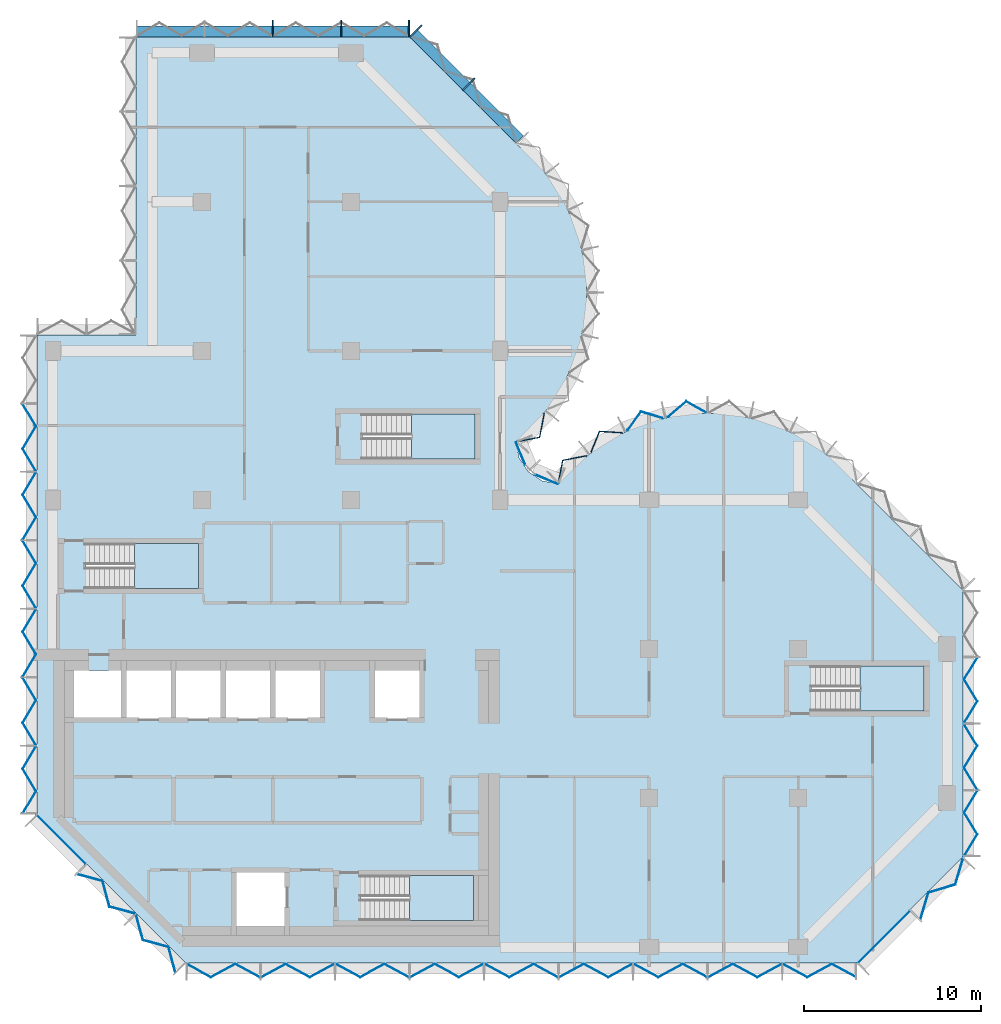
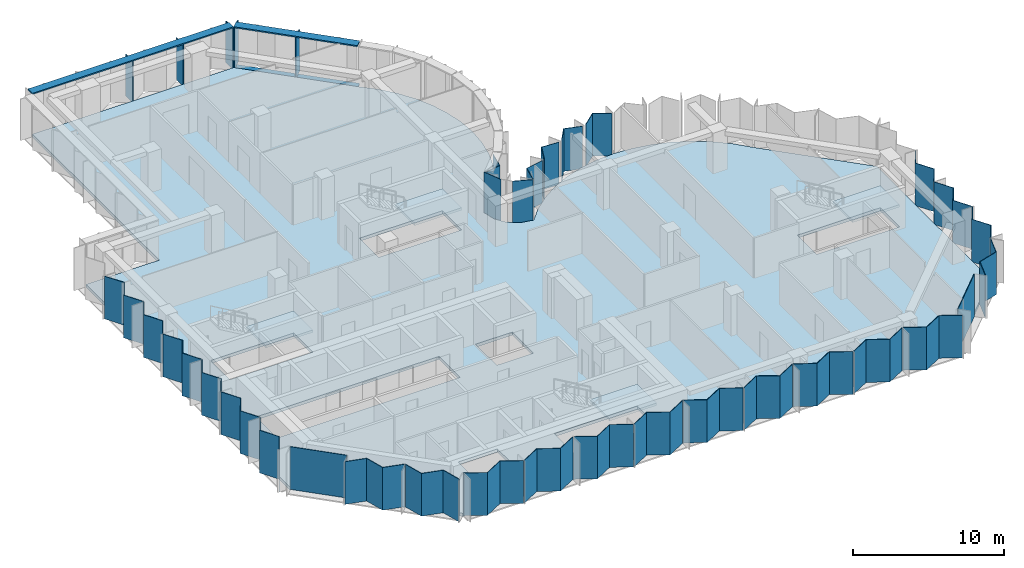
# One storey, part 3 of 10: 30 plates, 8 members, 5 slabs, 14 elements without a shape of their own.
"""IFC4 building model written with IfcOpenShell, lengths in metres."""

from ifc_helpers import new_model, si_unit, direction, frame, origin, origin_2d, place, context, subcontext, project, spatial, polyline, rectangle, outline, extrude, material, layer, layer_set, material_profile, profile_set, type_object, element, aggregate, save


model = new_model("IFC4")

# Units and contexts
model_context = context("Model", 3, precision=1e-05, world=origin(), true_north=direction((0.0, 1.0)))
body_context = subcontext(model_context, "Body", "Model", "MODEL_VIEW")
ifc_project = project(units=[si_unit("LENGTHUNIT", "METRE"), si_unit("AREAUNIT", "SQUARE_METRE"), si_unit("VOLUMEUNIT", "CUBIC_METRE"), si_unit("PLANEANGLEUNIT", "RADIAN"), si_unit("MASSUNIT", "GRAM", prefix="KILO")], contexts=[model_context])

# Site, building, storey
site_placement = place(None, origin())
site = spatial("IfcSite", under=ifc_project, at=site_placement, CompositionType="ELEMENT")
building_placement = place(site_placement, origin())
building = spatial("IfcBuilding", under=site, at=building_placement, Name="Brevane Broadcast Tower", CompositionType="ELEMENT")
storey_placement = place(building_placement, frame((0.0, 0.0, 202.800048828125)))
storey = spatial("IfcBuildingStorey", under=building, at=storey_placement, Name="L51", CompositionType="ELEMENT", Elevation=202.800048828125)

# Curtain wall, members
ifc_material_1 = material(Name="Aluminium 6063-T6 bronze anodised", Category="aluminium")
curtain_wall_type = type_object("IfcCurtainWallType", Name="CW-1 curtain wall", PredefinedType="NOTDEFINED", material=ifc_material_1)
curtain_wall_1_placement = place(storey_placement, origin())
curtain_wall_1 = element("IfcCurtainWall", 1, at=curtain_wall_1_placement, inside=storey, type_object=curtain_wall_type, Name="CW-1 typical tilted unit L51 north arm north-east chamfer", PredefinedType="NOTDEFINED")
ifc_material_profile_1 = material_profile(ifc_material_1, rectangle(XDim=0.949951171875, YDim=0.070068359375, at=origin_2d()), Name="RECT 70x950")
ifc_profile_set_1 = profile_set([ifc_material_profile_1], Name="Aluminium 6063-T6 bronze anodised")
member_type_1 = type_object("IfcMemberType", Name="CW-1 mullion 70x950", PredefinedType="MULLION", material=ifc_profile_set_1)
member_1_placement = place(storey_placement, frame((23.435791015625, 48.635986328125, -0.150146484375), z_axis=(0.0, 0.0, 1.0), x_axis=(-0.707106781187, -0.707106781187, 0.0)))
member_1 = element("IfcMember", 2, at=member_1_placement, type_object=member_type_1, Name="CW-1 mullion", PredefinedType="MULLION", context=body_context, shape_type="SweptSolid", body=[
    extrude(rectangle(XDim=0.949951171875, YDim=0.070068359375, at=origin_2d()), origin(), (0.0, 0.0, 1.0), 3.35009765625),
])
member_2_placement = place(storey_placement, frame((20.460693359375, 51.611083984375, -0.150146484375), z_axis=(0.0, 0.0, 1.0), x_axis=(-0.707106781187, -0.707106781187, 0.0)))
member_2 = element("IfcMember", 3, at=member_2_placement, type_object=member_type_1, Name="CW-1 mullion", PredefinedType="MULLION", context=body_context, shape_type="SweptSolid", body=[
    extrude(rectangle(XDim=0.949951171875, YDim=0.070068359375, at=origin_2d()), origin(), (0.0, 0.0, 1.0), 3.35009765625),
])

curtain_wall_2_placement = place(storey_placement, origin())
curtain_wall_2 = element("IfcCurtainWall", 4, at=curtain_wall_2_placement, inside=storey, type_object=curtain_wall_type, Name="CW-1 typical tilted unit L51 north end", PredefinedType="NOTDEFINED")
member_3_placement = place(storey_placement, frame((20.06494140625, 51.77490234375, -0.150146484375), z_axis=(0.0, 0.0, 1.0), x_axis=(0.0, -1.0, 0.0)))
member_3 = element("IfcMember", 5, at=member_3_placement, type_object=member_type_1, Name="CW-1 mullion", PredefinedType="MULLION", context=body_context, shape_type="SweptSolid", body=[
    extrude(rectangle(XDim=0.949951171875, YDim=0.070068359375, at=origin_2d()), origin(), (0.0, 0.0, 1.0), 3.35009765625),
])
member_4_placement = place(storey_placement, frame((16.25, 51.77490234375, -0.150146484375), z_axis=(0.0, 0.0, 1.0), x_axis=(0.0, -1.0, 0.0)))
member_4 = element("IfcMember", 6, at=member_4_placement, type_object=member_type_1, Name="CW-1 mullion", PredefinedType="MULLION", context=body_context, shape_type="SweptSolid", body=[
    extrude(rectangle(XDim=0.949951171875, YDim=0.070068359375, at=origin_2d()), origin(), (0.0, 0.0, 1.0), 3.35009765625),
])
member_5_placement = place(storey_placement, frame((12.39990234375, 51.77490234375, -0.150146484375), z_axis=(0.0, 0.0, 1.0), x_axis=(0.0, -1.0, 0.0)))
member_5 = element("IfcMember", 7, at=member_5_placement, type_object=member_type_1, Name="CW-1 mullion", PredefinedType="MULLION", context=body_context, shape_type="SweptSolid", body=[
    extrude(rectangle(XDim=0.949951171875, YDim=0.070068359375, at=origin_2d()), origin(), (0.0, 0.0, 1.0), 3.35009765625),
])

# Member
ifc_material_profile_2 = material_profile(ifc_material_1, rectangle(XDim=0.60009765625, YDim=0.10009765625, at=origin_2d()), Name="RECT 100x600")
ifc_profile_set_2 = profile_set([ifc_material_profile_2], Name="Aluminium 6063-T6 bronze anodised")
member_type_2 = type_object("IfcMemberType", Name="CW-1 transom 100x600", PredefinedType="USERDEFINED", material=ifc_profile_set_2)
member_6_placement = place(storey_placement, frame((26.31201171875, 45.51220703125, -0.199951171875), z_axis=(-0.707106781187, 0.707106781187, 0.0), x_axis=(-0.707106781187, -0.707106781187, 0.0)))
member_6 = element("IfcMember", 8, at=member_6_placement, type_object=member_type_2, Name="CW-1 transom", ObjectType="TRANSOM", PredefinedType="USERDEFINED", context=body_context, shape_type="SweptSolid", body=[
    extrude(rectangle(XDim=0.60009765625, YDim=0.10009765625, at=origin_2d()), origin(), (0.0, 0.0, 1.0), 8.4853515625),
])

member_7_placement = place(storey_placement, frame((26.31201171875, 45.51220703125, 3.25), z_axis=(-0.707106781187, 0.707106781187, 0.0), x_axis=(-0.707106781187, -0.707106781187, 0.0)))
member_7 = element("IfcMember", 9, at=member_7_placement, type_object=member_type_2, Name="CW-1 transom", ObjectType="TRANSOM", PredefinedType="USERDEFINED", context=body_context, shape_type="SweptSolid", body=[
    extrude(rectangle(XDim=0.60009765625, YDim=0.10009765625, at=origin_2d()), origin(), (0.0, 0.0, 1.0), 8.4853515625),
])

aggregate(curtain_wall_1, [member_1, member_2, member_6, member_7])

member_8_placement = place(storey_placement, frame((20.10009765625, 51.60009765625, 3.25), z_axis=(-1.0, 0.0, 0.0), x_axis=(0.0, -1.0, 0.0)))
member_8 = element("IfcMember", 10, at=member_8_placement, type_object=member_type_2, Name="CW-1 transom", ObjectType="TRANSOM", PredefinedType="USERDEFINED", context=body_context, shape_type="SweptSolid", body=[
    extrude(rectangle(XDim=0.60009765625, YDim=0.10009765625, at=origin_2d()), origin(), (0.0, 0.0, 1.0), 15.400146484375),
])

aggregate(curtain_wall_2, [member_3, member_4, member_5, member_8])

# Curtain wall, plates
curtain_wall_3_placement = place(storey_placement, origin())
curtain_wall_3 = element("IfcCurtainWall", 11, at=curtain_wall_3_placement, inside=storey, type_object=curtain_wall_type, Name="CW-1 typical tilted unit L51 south face", PredefinedType="NOTDEFINED")
ifc_material_2 = material(Name="Laminated glass bronze-tinted", Category="glass")
ifc_layer_1 = layer(ifc_material_2, 0.0400390625)
ifc_layer_set_1 = layer_set([ifc_layer_1], Name="CW tall glass panel 40")
plate_type = type_object("IfcPlateType", Name="CW tall glass panel 40", PredefinedType="CURTAIN_PANEL", material=ifc_layer_set_1)
plate_1_placement = place(storey_placement, frame((0.0, 0.0, -0.150146484375)))
plate_1 = element("IfcPlate", 12, at=plate_1_placement, type_object=plate_type, Name="CW-1 glass panel", PredefinedType="CURTAIN_PANEL", context=body_context, shape_type="SweptSolid", body=[
    extrude(outline(polyline([(7.534912109375, -0.92724609375), (7.534912109375, -0.97265625), (8.91162109375, -1.717041015625), (10.288330078125, -0.97265625), (11.6650390625, -1.717041015625), (11.6650390625, -1.671630859375), (10.288330078125, -0.92724609375), (8.91162109375, -1.671630859375), (7.534912109375, -0.92724609375)])), origin(), (0.0, 0.0, 1.0), 3.4501953125),
])
plate_2_placement = place(storey_placement, frame((0.0, 0.0, -0.150146484375)))
plate_2 = element("IfcPlate", 13, at=plate_2_placement, type_object=plate_type, Name="CW-1 glass panel", PredefinedType="CURTAIN_PANEL", context=body_context, shape_type="SweptSolid", body=[
    extrude(outline(polyline([(11.735107421875, -1.671630859375), (11.735107421875, -1.717041015625), (13.11181640625, -0.97265625), (14.48828125, -1.717041015625), (15.864990234375, -0.97265625), (15.864990234375, -0.92724609375), (14.48828125, -1.671630859375), (13.11181640625, -0.92724609375), (11.735107421875, -1.671630859375)])), origin(), (0.0, 0.0, 1.0), 3.4501953125),
])
plate_3_placement = place(storey_placement, frame((0.0, 0.0, -0.150146484375)))
plate_3 = element("IfcPlate", 14, at=plate_3_placement, type_object=plate_type, Name="CW-1 glass panel", PredefinedType="CURTAIN_PANEL", context=body_context, shape_type="SweptSolid", body=[
    extrude(outline(polyline([(15.93505859375, -0.92724609375), (15.93505859375, -0.97265625), (17.311767578125, -1.717041015625), (18.688232421875, -0.97265625), (20.06494140625, -1.717041015625), (20.06494140625, -1.671630859375), (18.688232421875, -0.92724609375), (17.311767578125, -1.671630859375), (15.93505859375, -0.92724609375)])), origin(), (0.0, 0.0, 1.0), 3.4501953125),
])
plate_4_placement = place(storey_placement, frame((0.0, 0.0, -0.150146484375)))
plate_4 = element("IfcPlate", 15, at=plate_4_placement, type_object=plate_type, Name="CW-1 glass panel", PredefinedType="CURTAIN_PANEL", context=body_context, shape_type="SweptSolid", body=[
    extrude(outline(polyline([(20.135009765625, -1.671630859375), (20.135009765625, -1.717041015625), (21.51171875, -0.97265625), (22.88818359375, -1.717041015625), (24.264892578125, -0.97265625), (24.264892578125, -0.92724609375), (22.88818359375, -1.671630859375), (21.51171875, -0.92724609375), (20.135009765625, -1.671630859375)])), origin(), (0.0, 0.0, 1.0), 3.4501953125),
])
plate_5_placement = place(storey_placement, frame((0.0, 0.0, -0.150146484375)))
plate_5 = element("IfcPlate", 16, at=plate_5_placement, type_object=plate_type, Name="CW-1 glass panel", PredefinedType="CURTAIN_PANEL", context=body_context, shape_type="SweptSolid", body=[
    extrude(outline(polyline([(24.3349609375, -0.92724609375), (24.3349609375, -0.97265625), (25.711669921875, -1.717041015625), (27.08837890625, -0.97265625), (28.465087890625, -1.717041015625), (28.465087890625, -1.671630859375), (27.08837890625, -0.92724609375), (25.711669921875, -1.671630859375), (24.3349609375, -0.92724609375)])), origin(), (0.0, 0.0, 1.0), 3.4501953125),
])
plate_6_placement = place(storey_placement, frame((0.0, 0.0, -0.150146484375)))
plate_6 = element("IfcPlate", 17, at=plate_6_placement, type_object=plate_type, Name="CW-1 glass panel", PredefinedType="CURTAIN_PANEL", context=body_context, shape_type="SweptSolid", body=[
    extrude(outline(polyline([(28.534912109375, -1.671630859375), (28.534912109375, -1.717041015625), (29.91162109375, -0.97265625), (31.288330078125, -1.717041015625), (32.6650390625, -0.97265625), (32.6650390625, -0.92724609375), (31.288330078125, -1.671630859375), (29.91162109375, -0.92724609375), (28.534912109375, -1.671630859375)])), origin(), (0.0, 0.0, 1.0), 3.4501953125),
])
plate_7_placement = place(storey_placement, frame((0.0, 0.0, -0.150146484375)))
plate_7 = element("IfcPlate", 18, at=plate_7_placement, type_object=plate_type, Name="CW-1 glass panel", PredefinedType="CURTAIN_PANEL", context=body_context, shape_type="SweptSolid", body=[
    extrude(outline(polyline([(32.735107421875, -0.92724609375), (32.735107421875, -0.97265625), (34.11181640625, -1.717041015625), (35.48828125, -0.97265625), (36.864990234375, -1.717041015625), (36.864990234375, -1.671630859375), (35.48828125, -0.92724609375), (34.11181640625, -1.671630859375), (32.735107421875, -0.92724609375)])), origin(), (0.0, 0.0, 1.0), 3.4501953125),
])
plate_8_placement = place(storey_placement, frame((0.0, 0.0, -0.150146484375)))
plate_8 = element("IfcPlate", 19, at=plate_8_placement, type_object=plate_type, Name="CW-1 glass panel", PredefinedType="CURTAIN_PANEL", context=body_context, shape_type="SweptSolid", body=[
    extrude(outline(polyline([(36.93505859375, -1.671630859375), (36.93505859375, -1.717041015625), (38.311767578125, -0.97265625), (39.688232421875, -1.717041015625), (41.06494140625, -0.97265625), (41.06494140625, -0.92724609375), (39.688232421875, -1.671630859375), (38.311767578125, -0.92724609375), (36.93505859375, -1.671630859375)])), origin(), (0.0, 0.0, 1.0), 3.4501953125),
])
plate_9_placement = place(storey_placement, frame((0.0, 0.0, -0.150146484375)))
plate_9 = element("IfcPlate", 20, at=plate_9_placement, type_object=plate_type, Name="CW-1 glass panel", PredefinedType="CURTAIN_PANEL", context=body_context, shape_type="SweptSolid", body=[
    extrude(outline(polyline([(41.135009765625, -0.92724609375), (41.135009765625, -0.97265625), (42.51171875, -1.717041015625), (43.88818359375, -0.97265625), (45.264892578125, -1.717041015625), (45.264892578125, -1.671630859375), (43.88818359375, -0.92724609375), (42.51171875, -1.671630859375), (41.135009765625, -0.92724609375)])), origin(), (0.0, 0.0, 1.0), 3.4501953125),
])
aggregate(curtain_wall_3, [plate_1, plate_2, plate_3, plate_4, plate_5, plate_6, plate_7, plate_8, plate_9])

curtain_wall_4_placement = place(storey_placement, origin())
curtain_wall_4 = element("IfcCurtainWall", 21, at=curtain_wall_4_placement, inside=storey, type_object=curtain_wall_type, Name="CW-1 typical tilted unit L51 south-east chamfer", PredefinedType="NOTDEFINED")
plate_10_placement = place(storey_placement, frame((0.0, 0.0, -0.150146484375)))
plate_10 = element("IfcPlate", 22, at=plate_10_placement, type_object=plate_type, Name="CW-1 glass panel", PredefinedType="CURTAIN_PANEL", context=body_context, shape_type="SweptSolid", body=[
    extrude(outline(polyline([(45.345947265625, -0.896484375), (48.29638671875, 2.053955078125), (48.32470703125, 2.02587890625), (45.374267578125, -0.9248046875), (45.345947265625, -0.896484375)])), origin(), (0.0, 0.0, 1.0), 3.4501953125),
])
plate_11_placement = place(storey_placement, frame((0.0, 0.0, -0.150146484375)))
plate_11 = element("IfcPlate", 23, at=plate_11_placement, type_object=plate_type, Name="CW-1 glass panel", PredefinedType="CURTAIN_PANEL", context=body_context, shape_type="SweptSolid", body=[
    extrude(outline(polyline([(48.870361328125, 1.5791015625), (48.902587890625, 1.547119140625), (49.359619140625, 3.056884765625), (50.869384765625, 3.513916015625), (51.32666015625, 5.02392578125), (51.294677734375, 5.055908203125), (50.83740234375, 3.546142578125), (49.32763671875, 3.0888671875), (48.870361328125, 1.5791015625)])), origin(), (0.0, 0.0, 1.0), 3.4501953125),
])
aggregate(curtain_wall_4, [plate_10, plate_11])

curtain_wall_5_placement = place(storey_placement, origin())
curtain_wall_5 = element("IfcCurtainWall", 24, at=curtain_wall_5_placement, inside=storey, type_object=curtain_wall_type, Name="CW-1 typical tilted unit L51 east end", PredefinedType="NOTDEFINED")
plate_12_placement = place(storey_placement, frame((0.0, 0.0, -0.150146484375)))
plate_12 = element("IfcPlate", 25, at=plate_12_placement, type_object=plate_type, Name="CW-1 glass panel", PredefinedType="CURTAIN_PANEL", context=body_context, shape_type="SweptSolid", body=[
    extrude(outline(polyline([(51.32666015625, 5.135009765625), (51.373291015625, 5.135009765625), (52.117919921875, 6.36181640625), (51.373291015625, 7.58837890625), (52.117919921875, 8.81494140625), (52.071044921875, 8.81494140625), (51.32666015625, 7.58837890625), (52.071044921875, 6.36181640625), (51.32666015625, 5.135009765625)])), origin(), (0.0, 0.0, 1.0), 3.4501953125),
])
plate_13_placement = place(storey_placement, frame((0.0, 0.0, -0.150146484375)))
plate_13 = element("IfcPlate", 26, at=plate_13_placement, type_object=plate_type, Name="CW-1 glass panel", PredefinedType="CURTAIN_PANEL", context=body_context, shape_type="SweptSolid", body=[
    extrude(outline(polyline([(52.071044921875, 8.885009765625), (52.117919921875, 8.885009765625), (51.373291015625, 10.11181640625), (52.117919921875, 11.33837890625), (51.373291015625, 12.56494140625), (51.32666015625, 12.56494140625), (52.071044921875, 11.33837890625), (51.32666015625, 10.11181640625), (52.071044921875, 8.885009765625)])), origin(), (0.0, 0.0, 1.0), 3.4501953125),
])
plate_14_placement = place(storey_placement, frame((0.0, 0.0, -0.150146484375)))
plate_14 = element("IfcPlate", 27, at=plate_14_placement, type_object=plate_type, Name="CW-1 glass panel", PredefinedType="CURTAIN_PANEL", context=body_context, shape_type="SweptSolid", body=[
    extrude(outline(polyline([(51.32666015625, 12.635009765625), (51.373291015625, 12.635009765625), (52.117919921875, 13.86181640625), (51.373291015625, 15.08837890625), (52.117919921875, 16.31494140625), (52.071044921875, 16.31494140625), (51.32666015625, 15.08837890625), (52.071044921875, 13.86181640625), (51.32666015625, 12.635009765625)])), origin(), (0.0, 0.0, 1.0), 3.4501953125),
])
aggregate(curtain_wall_5, [plate_12, plate_13, plate_14])

curtain_wall_6_placement = place(storey_placement, origin())
curtain_wall_6 = element("IfcCurtainWall", 28, at=curtain_wall_6_placement, inside=storey, type_object=curtain_wall_type, Name="CW-1 typical tilted unit L51 east bow", PredefinedType="NOTDEFINED")
plate_15_placement = place(storey_placement, frame((0.0, 0.0, -0.150146484375)))
plate_15 = element("IfcPlate", 29, at=plate_15_placement, type_object=plate_type, Name="CW-1 glass panel", PredefinedType="CURTAIN_PANEL", context=body_context, shape_type="SweptSolid", body=[
    extrude(outline(polyline([(36.7919921875, 30.11279296875), (36.7919921875, 30.15869140625), (35.68310546875, 30.779296875), (34.664794921875, 29.903564453125), (34.6748046875, 29.859619140625), (35.68798828125, 30.730712890625), (36.7919921875, 30.11279296875)])), origin(), (0.0, 0.0, 1.0), 3.4501953125),
])
plate_16_placement = place(storey_placement, frame((0.0, 0.0, -0.150146484375)))
plate_16 = element("IfcPlate", 30, at=plate_16_placement, type_object=plate_type, Name="CW-1 glass panel", PredefinedType="CURTAIN_PANEL", context=body_context, shape_type="SweptSolid", body=[
    extrude(outline(polyline([(34.359619140625, 29.78857421875), (34.349365234375, 29.83349609375), (33.132080078125, 30.20166015625), (32.381103515625, 29.1455078125), (32.400634765625, 29.104248046875), (33.148193359375, 30.155029296875), (34.359619140625, 29.78857421875)])), origin(), (0.0, 0.0, 1.0), 3.4501953125),
])
plate_17_placement = place(storey_placement, frame((0.0, 0.0, -0.150146484375)))
plate_17 = element("IfcPlate", 31, at=plate_17_placement, type_object=plate_type, Name="CW-1 glass panel", PredefinedType="CURTAIN_PANEL", context=body_context, shape_type="SweptSolid", body=[
    extrude(outline(polyline([(32.10888671875, 28.96533203125), (32.08935546875, 29.006591796875), (30.7958984375, 29.089111328125), (30.314697265625, 27.912109375), (30.343017578125, 27.8759765625), (30.822265625, 29.04736328125), (32.10888671875, 28.96533203125)])), origin(), (0.0, 0.0, 1.0), 3.4501953125),
])
plate_18_placement = place(storey_placement, frame((0.0, 0.0, -0.150146484375)))
plate_18 = element("IfcPlate", 32, at=plate_18_placement, type_object=plate_type, Name="CW-1 glass panel", PredefinedType="CURTAIN_PANEL", context=body_context, shape_type="SweptSolid", body=[
    extrude(outline(polyline([(30.089111328125, 27.67626953125), (30.0615234375, 27.71142578125), (28.7138671875, 27.447265625), (28.471923828125, 26.17919921875), (28.506103515625, 26.14404296875), (28.748046875, 27.4130859375), (30.089111328125, 27.67626953125)])), origin(), (0.0, 0.0, 1.0), 3.4501953125),
])
aggregate(curtain_wall_6, [plate_15, plate_16, plate_17, plate_18])

curtain_wall_7_placement = place(storey_placement, origin())
curtain_wall_7 = element("IfcCurtainWall", 33, at=curtain_wall_7_placement, inside=storey, type_object=curtain_wall_type, Name="CW-1 typical tilted unit L51 inner corner", PredefinedType="NOTDEFINED")
plate_19_placement = place(storey_placement, frame((0.0, 0.0, -0.150146484375)))
plate_19 = element("IfcPlate", 34, at=plate_19_placement, type_object=plate_type, Name="CW-1 glass panel", PredefinedType="CURTAIN_PANEL", context=body_context, shape_type="SweptSolid", body=[
    extrude(outline(polyline([(28.45166015625, 26.07470703125), (28.466796875, 26.111572265625), (27.2021484375, 26.635498046875), (27.17138671875, 26.60498046875), (28.45166015625, 26.07470703125)])), origin(), (0.0, 0.0, 1.0), 3.4501953125),
])
plate_20_placement = place(storey_placement, frame((0.0, 0.0, -0.150146484375)))
plate_20 = element("IfcPlate", 35, at=plate_20_placement, type_object=plate_type, Name="CW-1 glass panel", PredefinedType="CURTAIN_PANEL", context=body_context, shape_type="SweptSolid", body=[
    extrude(outline(polyline([(26.60498046875, 27.17138671875), (26.635498046875, 27.2021484375), (26.111572265625, 28.466796875), (26.07470703125, 28.45166015625), (26.60498046875, 27.17138671875)])), origin(), (0.0, 0.0, 1.0), 3.4501953125),
])
aggregate(curtain_wall_7, [plate_19, plate_20])

# Curtain wall, plate
curtain_wall_8_placement = place(storey_placement, origin())
curtain_wall_8 = element("IfcCurtainWall", 36, at=curtain_wall_8_placement, inside=storey, type_object=curtain_wall_type, Name="CW-1 typical tilted unit L51 north bow", PredefinedType="NOTDEFINED")
plate_21_placement = place(storey_placement, frame((0.0, 0.0, -0.150146484375)))
plate_21 = element("IfcPlate", 37, at=plate_21_placement, type_object=plate_type, Name="CW-1 glass panel", PredefinedType="CURTAIN_PANEL", context=body_context, shape_type="SweptSolid", body=[
    extrude(outline(polyline([(26.14404296875, 28.506103515625), (26.17919921875, 28.471923828125), (27.447265625, 28.7138671875), (27.71142578125, 30.0615234375), (27.67626953125, 30.089111328125), (27.4130859375, 28.748046875), (26.14404296875, 28.506103515625)])), origin(), (0.0, 0.0, 1.0), 3.35009765625),
])
aggregate(curtain_wall_8, [plate_21])

# Curtain wall, plates
curtain_wall_9_placement = place(storey_placement, origin())
curtain_wall_9 = element("IfcCurtainWall", 38, at=curtain_wall_9_placement, inside=storey, type_object=curtain_wall_type, Name="CW-1 typical tilted unit L51 west face", PredefinedType="NOTDEFINED")
plate_22_placement = place(storey_placement, frame((0.0, 0.0, -0.150146484375)))
plate_22 = element("IfcPlate", 39, at=plate_22_placement, type_object=plate_type, Name="CW-1 glass panel", PredefinedType="CURTAIN_PANEL", context=body_context, shape_type="SweptSolid", body=[
    extrude(outline(polyline([(-1.671142578125, 30.60791015625), (-1.717529296875, 30.60791015625), (-0.97314453125, 29.345458984375), (-1.717529296875, 28.0830078125), (-0.97314453125, 26.82080078125), (-0.9267578125, 26.82080078125), (-1.671142578125, 28.0830078125), (-0.9267578125, 29.345458984375), (-1.671142578125, 30.60791015625)])), origin(), (0.0, 0.0, 1.0), 3.4501953125),
])
plate_23_placement = place(storey_placement, frame((0.0, 0.0, -0.150146484375)))
plate_23 = element("IfcPlate", 40, at=plate_23_placement, type_object=plate_type, Name="CW-1 glass panel", PredefinedType="CURTAIN_PANEL", context=body_context, shape_type="SweptSolid", body=[
    extrude(outline(polyline([(-0.9267578125, 26.750732421875), (-0.97314453125, 26.750732421875), (-1.717529296875, 25.48828125), (-0.97314453125, 24.22607421875), (-1.717529296875, 22.963623046875), (-1.671142578125, 22.963623046875), (-0.9267578125, 24.22607421875), (-1.671142578125, 25.48828125), (-0.9267578125, 26.750732421875)])), origin(), (0.0, 0.0, 1.0), 3.4501953125),
])
plate_24_placement = place(storey_placement, frame((0.0, 0.0, -0.150146484375)))
plate_24 = element("IfcPlate", 41, at=plate_24_placement, type_object=plate_type, Name="CW-1 glass panel", PredefinedType="CURTAIN_PANEL", context=body_context, shape_type="SweptSolid", body=[
    extrude(outline(polyline([(-1.671142578125, 22.8935546875), (-1.717529296875, 22.8935546875), (-0.97314453125, 21.631103515625), (-1.717529296875, 20.368896484375), (-0.97314453125, 19.1064453125), (-0.9267578125, 19.1064453125), (-1.671142578125, 20.368896484375), (-0.9267578125, 21.631103515625), (-1.671142578125, 22.8935546875)])), origin(), (0.0, 0.0, 1.0), 3.4501953125),
])
plate_25_placement = place(storey_placement, frame((0.0, 0.0, -0.150146484375)))
plate_25 = element("IfcPlate", 42, at=plate_25_placement, type_object=plate_type, Name="CW-1 glass panel", PredefinedType="CURTAIN_PANEL", context=body_context, shape_type="SweptSolid", body=[
    extrude(outline(polyline([(-0.9267578125, 19.036376953125), (-0.97314453125, 19.036376953125), (-1.717529296875, 17.77392578125), (-0.97314453125, 16.51171875), (-1.717529296875, 15.249267578125), (-1.671142578125, 15.249267578125), (-0.9267578125, 16.51171875), (-1.671142578125, 17.77392578125), (-0.9267578125, 19.036376953125)])), origin(), (0.0, 0.0, 1.0), 3.4501953125),
])
plate_26_placement = place(storey_placement, frame((0.0, 0.0, -0.150146484375)))
plate_26 = element("IfcPlate", 43, at=plate_26_placement, type_object=plate_type, Name="CW-1 glass panel", PredefinedType="CURTAIN_PANEL", context=body_context, shape_type="SweptSolid", body=[
    extrude(outline(polyline([(-1.671142578125, 15.17919921875), (-1.717529296875, 15.17919921875), (-0.97314453125, 13.9169921875), (-1.717529296875, 12.654541015625), (-0.97314453125, 11.39208984375), (-0.9267578125, 11.39208984375), (-1.671142578125, 12.654541015625), (-0.9267578125, 13.9169921875), (-1.671142578125, 15.17919921875)])), origin(), (0.0, 0.0, 1.0), 3.4501953125),
])
plate_27_placement = place(storey_placement, frame((0.0, 0.0, -0.150146484375)))
plate_27 = element("IfcPlate", 44, at=plate_27_placement, type_object=plate_type, Name="CW-1 glass panel", PredefinedType="CURTAIN_PANEL", context=body_context, shape_type="SweptSolid", body=[
    extrude(outline(polyline([(-0.9267578125, 11.322021484375), (-0.97314453125, 11.322021484375), (-1.717529296875, 10.059814453125), (-0.97314453125, 8.79736328125), (-1.717529296875, 7.534912109375), (-1.671142578125, 7.534912109375), (-0.9267578125, 8.79736328125), (-1.671142578125, 10.059814453125), (-0.9267578125, 11.322021484375)])), origin(), (0.0, 0.0, 1.0), 3.4501953125),
])
aggregate(curtain_wall_9, [plate_22, plate_23, plate_24, plate_25, plate_26, plate_27])

curtain_wall_10_placement = place(storey_placement, origin())
curtain_wall_10 = element("IfcCurtainWall", 45, at=curtain_wall_10_placement, inside=storey, type_object=curtain_wall_type, Name="CW-1 typical tilted unit L51 south-west chamfer", PredefinedType="NOTDEFINED")
plate_28_placement = place(storey_placement, frame((0.0, 0.0, -0.150146484375)))
plate_28 = element("IfcPlate", 46, at=plate_28_placement, type_object=plate_type, Name="CW-1 glass panel", PredefinedType="CURTAIN_PANEL", context=body_context, shape_type="SweptSolid", body=[
    extrude(outline(polyline([(-0.896484375, 7.4541015625), (1.85400390625, 4.70361328125), (1.82568359375, 4.67529296875), (-0.9248046875, 7.42578125), (-0.896484375, 7.4541015625)])), origin(), (0.0, 0.0, 1.0), 3.4501953125),
])
plate_29_placement = place(storey_placement, frame((0.0, 0.0, -0.150146484375)))
plate_29 = element("IfcPlate", 47, at=plate_29_placement, type_object=plate_type, Name="CW-1 glass panel", PredefinedType="CURTAIN_PANEL", context=body_context, shape_type="SweptSolid", body=[
    extrude(outline(polyline([(1.37939453125, 4.1298828125), (1.3466796875, 4.09716796875), (2.789794921875, 3.706787109375), (3.180419921875, 2.263671875), (4.62353515625, 1.873046875), (4.65625, 1.90576171875), (3.212890625, 2.296142578125), (2.822509765625, 3.739501953125), (1.37939453125, 4.1298828125)])), origin(), (0.0, 0.0, 1.0), 3.4501953125),
])
plate_30_placement = place(storey_placement, frame((0.0, 0.0, -0.150146484375)))
plate_30 = element("IfcPlate", 48, at=plate_30_placement, type_object=plate_type, Name="CW-1 glass panel", PredefinedType="CURTAIN_PANEL", context=body_context, shape_type="SweptSolid", body=[
    extrude(outline(polyline([(4.705810546875, 1.856201171875), (4.673095703125, 1.823486328125), (5.063720703125, 0.38037109375), (6.5068359375, -0.010009765625), (6.897216796875, -1.453369140625), (6.9296875, -1.420654296875), (6.539306640625, 0.0224609375), (5.09619140625, 0.4130859375), (4.705810546875, 1.856201171875)])), origin(), (0.0, 0.0, 1.0), 3.4501953125),
])
aggregate(curtain_wall_10, [plate_28, plate_29, plate_30])

# Stair, slab
ifc_material_3 = material(Name="Concrete C50/60", Category="concrete")
stair_type = type_object("IfcStairType", Name="Exit stair 22 risers", PredefinedType="HALF_TURN_STAIR", material=ifc_material_3)
stair_1_placement = place(storey_placement, origin())
stair_1 = element("IfcStair", 49, at=stair_1_placement, inside=storey, type_object=stair_type, Name="L51 Exit stair ST-1", PredefinedType="HALF_TURN_STAIR")
ifc_layer_2 = layer(ifc_material_3, 0.199951171875)
ifc_layer_set_2 = layer_set([ifc_layer_2], Name="Exit stair landing")
slab_type_1 = type_object("IfcSlabType", Name="Exit stair landing", PredefinedType="LANDING", material=ifc_layer_set_2)
slab_1_placement = place(storey_placement, frame((0.0, 0.0, 1.599853515625)))
slab_1 = element("IfcSlab", 50, at=slab_1_placement, type_object=slab_type_1, Name="ST-1 landing 1", PredefinedType="LANDING", context=body_context, shape_type="SweptSolid", body=[
    extrude(outline(polyline([(4.60009765625, 20.199951171875), (8.199951171875, 20.199951171875), (8.199951171875, 22.75), (4.60009765625, 22.75), (4.60009765625, 20.199951171875)])), origin(), (0.0, 0.0, 1.0), 0.2001953125),
])
aggregate(stair_1, [slab_1])

stair_2_placement = place(storey_placement, origin())
stair_2 = element("IfcStair", 51, at=stair_2_placement, inside=storey, type_object=stair_type, Name="L51 Exit stair ST-2", PredefinedType="HALF_TURN_STAIR")
slab_2_placement = place(storey_placement, frame((0.0, 0.0, 1.599853515625)))
slab_2 = element("IfcSlab", 52, at=slab_2_placement, type_object=slab_type_1, Name="ST-2 landing 1", PredefinedType="LANDING", context=body_context, shape_type="SweptSolid", body=[
    extrude(outline(polyline([(20.10009765625, 1.5), (23.699951171875, 1.5), (23.699951171875, 4.050048828125), (20.10009765625, 4.050048828125), (20.10009765625, 1.5)])), origin(), (0.0, 0.0, 1.0), 0.2001953125),
])
aggregate(stair_2, [slab_2])

stair_3_placement = place(storey_placement, origin())
stair_3 = element("IfcStair", 53, at=stair_3_placement, inside=storey, type_object=stair_type, Name="L51 Exit stair ST-3", PredefinedType="HALF_TURN_STAIR")
slab_3_placement = place(storey_placement, frame((0.0, 0.0, 1.599853515625)))
slab_3 = element("IfcSlab", 54, at=slab_3_placement, type_object=slab_type_1, Name="ST-3 landing 1", PredefinedType="LANDING", context=body_context, shape_type="SweptSolid", body=[
    extrude(outline(polyline([(20.199951171875, 27.5), (23.800048828125, 27.5), (23.800048828125, 30.050048828125), (20.199951171875, 30.050048828125), (20.199951171875, 27.5)])), origin(), (0.0, 0.0, 1.0), 0.2001953125),
])
aggregate(stair_3, [slab_3])

stair_4_placement = place(storey_placement, origin())
stair_4 = element("IfcStair", 55, at=stair_4_placement, inside=storey, type_object=stair_type, Name="L51 Exit stair ST-4", PredefinedType="HALF_TURN_STAIR")
slab_4_placement = place(storey_placement, frame((0.0, 0.0, 1.599853515625)))
slab_4 = element("IfcSlab", 56, at=slab_4_placement, type_object=slab_type_1, Name="ST-4 landing 1", PredefinedType="LANDING", context=body_context, shape_type="SweptSolid", body=[
    extrude(outline(polyline([(45.5, 13.300048828125), (49.10009765625, 13.300048828125), (49.10009765625, 15.85009765625), (45.5, 15.85009765625), (45.5, 13.300048828125)])), origin(), (0.0, 0.0, 1.0), 0.2001953125),
])
aggregate(stair_4, [slab_4])

# Slab
ifc_material_4 = material(Name="Concrete C40/50", Category="concrete")
ifc_layer_3 = layer(ifc_material_4, 0.25)
ifc_layer_set_3 = layer_set([ifc_layer_3], Name="RC FLOOR SLAB 250 C40/50")
slab_type_2 = type_object("IfcSlabType", Name="RC FLOOR SLAB 250 C40/50", PredefinedType="FLOOR", material=ifc_layer_set_3)
slab_5_placement = place(storey_placement, frame((0.0, 0.0, -0.25)))
element("IfcSlab", 57, at=slab_5_placement, inside=storey, type_object=slab_type_2, Name="SL250 L51", PredefinedType="FLOOR", context=body_context, shape_type="SweptSolid", body=[
    extrude(outline(polyline([(-0.89990234375, 7.5), (-0.89990234375, 34.5), (4.699951171875, 34.5), (4.699951171875, 51.300048828125), (20.10009765625, 51.300048828125), (26.10009765625, 45.300048828125), (27.10888671875, 44.36865234375), (27.99169921875, 43.317138671875), (28.734130859375, 42.162353515625), (29.324462890625, 40.922607421875), (29.7529296875, 39.618408203125), (30.012939453125, 38.270263671875), (30.10009765625, 36.89990234375), (30.012939453125, 35.52978515625), (29.7529296875, 34.181640625), (29.324462890625, 32.877197265625), (28.734130859375, 31.6376953125), (27.99169921875, 30.48291015625), (27.10888671875, 29.431396484375), (26.10009765625, 28.5), (26.28271484375, 27.58154296875), (26.802978515625, 26.802978515625), (27.58154296875, 26.28271484375), (28.5, 26.10009765625), (29.431396484375, 27.10888671875), (30.48291015625, 27.99169921875), (31.6376953125, 28.734130859375), (32.877197265625, 29.324462890625), (34.181640625, 29.7529296875), (35.52978515625, 30.012939453125), (36.89990234375, 30.10009765625), (38.270263671875, 30.012939453125), (39.618408203125, 29.7529296875), (40.922607421875, 29.324462890625), (42.162353515625, 28.734130859375), (43.317138671875, 27.99169921875), (44.36865234375, 27.10888671875), (45.300048828125, 26.10009765625), (51.300048828125, 20.10009765625), (51.300048828125, 5.10009765625), (45.300048828125, -0.89990234375), (7.5, -0.89990234375), (-0.89990234375, 7.5)]), holes=[polyline([(13.199951171875, 4.39990234375), (10.199951171875, 4.39990234375), (10.199951171875, 1.199951171875), (13.199951171875, 1.199951171875), (13.199951171875, 4.39990234375)]), polyline([(4.0, 15.60009765625), (1.199951171875, 15.60009765625), (1.199951171875, 12.800048828125), (4.0, 12.800048828125), (6.800048828125, 12.800048828125), (9.60009765625, 12.800048828125), (12.39990234375, 12.800048828125), (15.199951171875, 12.800048828125), (15.199951171875, 15.60009765625), (12.39990234375, 15.60009765625), (9.60009765625, 15.60009765625), (6.800048828125, 15.60009765625), (4.0, 15.60009765625)]), polyline([(1.860107421875, 22.75), (1.860107421875, 20.199951171875), (8.199951171875, 20.199951171875), (8.199951171875, 22.75), (1.860107421875, 22.75)]), polyline([(23.699951171875, 4.050048828125), (17.360107421875, 4.050048828125), (17.360107421875, 1.5), (23.699951171875, 1.5), (23.699951171875, 4.050048828125)]), polyline([(20.800048828125, 15.60009765625), (18.0, 15.60009765625), (18.0, 12.800048828125), (20.800048828125, 12.800048828125), (20.800048828125, 15.60009765625)]), polyline([(49.10009765625, 15.85009765625), (42.760009765625, 15.85009765625), (42.760009765625, 13.300048828125), (49.10009765625, 13.300048828125), (49.10009765625, 15.85009765625)]), polyline([(23.800048828125, 30.050048828125), (17.4599609375, 30.050048828125), (17.4599609375, 27.5), (23.800048828125, 27.5), (23.800048828125, 30.050048828125)])]), origin(), (0.0, 0.0, 1.0), 0.25),
])

save(model, "model.ifc")
